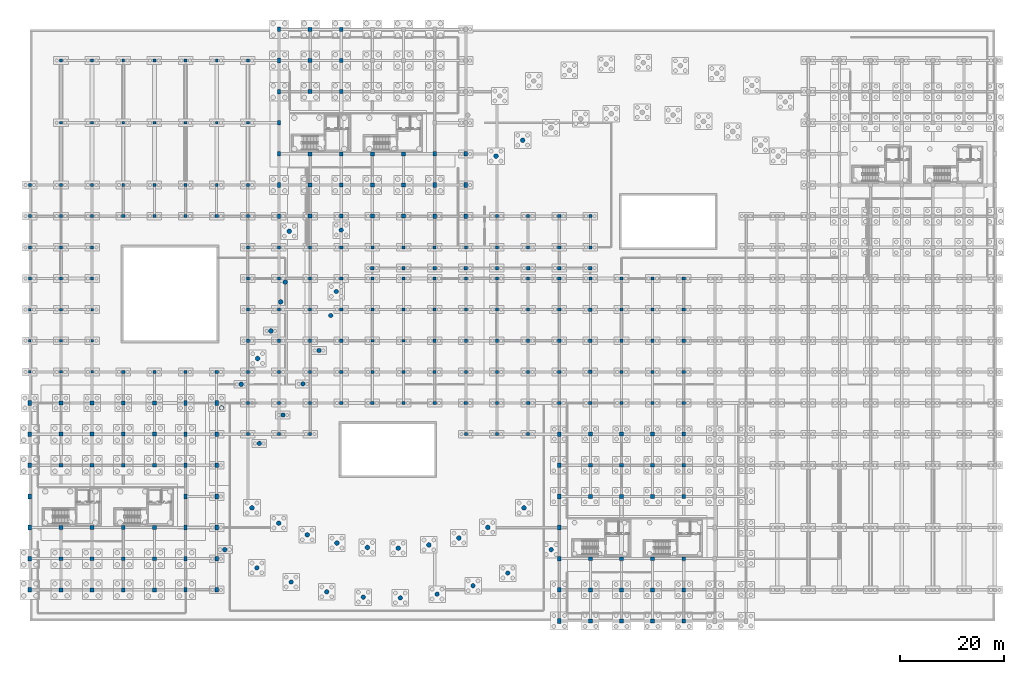
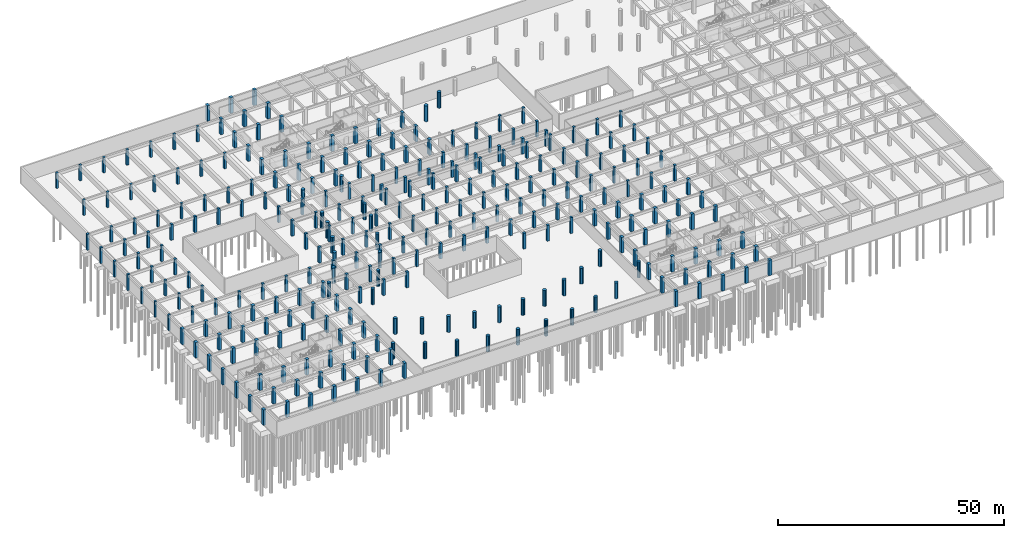
# One storey, part 14 of 41: 297 columns.
"""IFC4 building model written with IfcOpenShell, lengths in metres."""

from ifc_helpers import new_model, si_unit, direction, frame, origin, origin_2d, place, context, subcontext, project, spatial, rectangle, circle, extrude, material, material_profile, profile_set, type_object, element, save


model = new_model("IFC4")

# Units and contexts
model_context = context("Model", 3, precision=1e-05, world=origin(), true_north=direction((0.0, 1.0)))
body_context = subcontext(model_context, "Body", "Model", "MODEL_VIEW")
ifc_project = project(units=[si_unit("LENGTHUNIT", "METRE"), si_unit("AREAUNIT", "SQUARE_METRE"), si_unit("VOLUMEUNIT", "CUBIC_METRE"), si_unit("PLANEANGLEUNIT", "RADIAN"), si_unit("MASSUNIT", "GRAM", prefix="KILO"), si_unit("POWERUNIT", "WATT"), si_unit("THERMODYNAMICTEMPERATUREUNIT", "KELVIN")], contexts=[model_context])

# Site, building, storey
site_placement = place(None, origin())
site = spatial("IfcSite", under=ifc_project, at=site_placement, CompositionType="ELEMENT")
building_placement = place(site_placement, origin())
building = spatial("IfcBuilding", under=site, at=building_placement, Name="Ruvembo Vaulted Housing Court", CompositionType="ELEMENT")
storey_placement = place(building_placement, frame((0.0, 0.0, -4.5)))
storey = spatial("IfcBuildingStorey", under=building, at=storey_placement, Name="B1", CompositionType="ELEMENT", Elevation=-4.5)

# Columns
ifc_material_1 = material(Name="Concrete C35/45", Category="concrete")
ifc_material_profile_1 = material_profile(ifc_material_1, rectangle(XDim=0.5, YDim=0.5, at=origin_2d()), Name="RC 500x500")
ifc_profile_set_1 = profile_set([ifc_material_profile_1], Name="Concrete C35/45")
column_type_1 = type_object("IfcColumnType", Name="COL-RC-500", PredefinedType="COLUMN", material=ifc_profile_set_1)
for number, where, z_axis, x_axis, name in (
    (1, (0.0, 48.0, 0.0), (0.0, 0.0, 1.0), (1.0, 0.0, 0.0), "B1 Column (0,48)"),
    (2, (0.0, 54.0, 0.0), (0.0, 0.0, 1.0), (1.0, 0.0, 0.0), "B1 Column (0,54)"),
    (3, (0.0, 60.0, 0.0), (0.0, 0.0, 1.0), (1.0, 0.0, 0.0), "B1 Column (0,60)"),
    (4, (6.0, 48.0, 0.0), (0.0, 0.0, 1.0), (1.0, 0.0, 0.0), "B1 Column (6,48)"),
    (5, (6.0, 54.0, 0.0), (0.0, 0.0, 1.0), (1.0, 0.0, 0.0), "B1 Column (6,54)"),
    (6, (6.0, 60.0, 0.0), (0.0, 0.0, 1.0), (1.0, 0.0, 0.0), "B1 Column (6,60)"),
    (7, (12.0, 48.0, 0.0), (0.0, 0.0, 1.0), (1.0, 0.0, 0.0), "B1 Column (12,48)"),
    (8, (12.0, 54.0, 0.0), (0.0, 0.0, 1.0), (1.0, 0.0, 0.0), "B1 Column (12,54)"),
    (9, (12.0, 60.0, 0.0), (0.0, 0.0, 1.0), (1.0, 0.0, 0.0), "B1 Column (12,60)"),
):
    element("IfcColumn", number, at=place(storey_placement, frame(where, z_axis=z_axis, x_axis=x_axis)), inside=storey, type_object=column_type_1, Name=name, PredefinedType="COLUMN", context=body_context, shape_type="SweptSolid", body=[
        extrude(rectangle(XDim=0.5, YDim=0.5, at=origin_2d()), origin(), (0.0, 0.0, 1.0), 4.302001953125),
    ])
ifc_material_profile_2 = material_profile(ifc_material_1, rectangle(XDim=0.550048828125, YDim=0.550048828125, at=origin_2d()), Name="RC 550x550")
ifc_profile_set_2 = profile_set([ifc_material_profile_2], Name="Concrete C35/45")
column_type_2 = type_object("IfcColumnType", Name="COL-RC-550", PredefinedType="COLUMN", material=ifc_profile_set_2)
for number, where, z_axis, x_axis, name in (
    (10, (6.0, 84.0, 0.0), (0.0, 0.0, 1.0), (1.0, 0.0, 0.0), "B1 Column (6,84)"),
    (11, (6.0, 96.0, 0.0), (0.0, 0.0, 1.0), (1.0, 0.0, 0.0), "B1 Column (6,96)"),
    (12, (6.0, 108.0, 0.0), (0.0, 0.0, 1.0), (1.0, 0.0, 0.0), "B1 Column (6,108)"),
    (13, (12.0, 84.0, 0.0), (0.0, 0.0, 1.0), (1.0, 0.0, 0.0), "B1 Column (12,84)"),
    (14, (12.0, 96.0, 0.0), (0.0, 0.0, 1.0), (1.0, 0.0, 0.0), "B1 Column (12,96)"),
    (15, (12.0, 108.0, 0.0), (0.0, 0.0, 1.0), (1.0, 0.0, 0.0), "B1 Column (12,108)"),
    (16, (18.0, 84.0, 0.0), (0.0, 0.0, 1.0), (1.0, 0.0, 0.0), "B1 Column (18,84)"),
    (17, (18.0, 96.0, 0.0), (0.0, 0.0, 1.0), (1.0, 0.0, 0.0), "B1 Column (18,96)"),
    (18, (18.0, 108.0, 0.0), (0.0, 0.0, 1.0), (1.0, 0.0, 0.0), "B1 Column (18,108)"),
    (19, (24.0, 84.0, 0.0), (0.0, 0.0, 1.0), (1.0, 0.0, 0.0), "B1 Column (24,84)"),
    (20, (24.0, 96.0, 0.0), (0.0, 0.0, 1.0), (1.0, 0.0, 0.0), "B1 Column (24,96)"),
    (21, (24.0, 108.0, 0.0), (0.0, 0.0, 1.0), (1.0, 0.0, 0.0), "B1 Column (24,108)"),
    (22, (30.0, 84.0, 0.0), (0.0, 0.0, 1.0), (1.0, 0.0, 0.0), "B1 Column (30,84)"),
    (23, (30.0, 96.0, 0.0), (0.0, 0.0, 1.0), (1.0, 0.0, 0.0), "B1 Column (30,96)"),
    (24, (30.0, 108.0, 0.0), (0.0, 0.0, 1.0), (1.0, 0.0, 0.0), "B1 Column (30,108)"),
    (25, (36.0, 84.0, 0.0), (0.0, 0.0, 1.0), (1.0, 0.0, 0.0), "B1 Column (36,84)"),
    (26, (36.0, 96.0, 0.0), (0.0, 0.0, 1.0), (1.0, 0.0, 0.0), "B1 Column (36,96)"),
    (27, (36.0, 108.0, 0.0), (0.0, 0.0, 1.0), (1.0, 0.0, 0.0), "B1 Column (36,108)"),
    (28, (42.0, 84.0, 0.0), (0.0, 0.0, 1.0), (1.0, 0.0, 0.0), "B1 Column (42,84)"),
    (29, (42.0, 96.0, 0.0), (0.0, 0.0, 1.0), (1.0, 0.0, 0.0), "B1 Column (42,96)"),
    (30, (42.0, 108.0, 0.0), (0.0, 0.0, 1.0), (1.0, 0.0, 0.0), "B1 Column (42,108)"),
    (31, (66.0, 48.0, 0.0), (0.0, 0.0, 1.0), (1.0, 0.0, 0.0), "B1 Column (66,48)"),
    (32, (66.0, 54.0, 0.0), (0.0, 0.0, 1.0), (1.0, 0.0, 0.0), "B1 Column (66,54)"),
    (33, (66.0, 60.0, 0.0), (0.0, 0.0, 1.0), (1.0, 0.0, 0.0), "B1 Column (66,60)"),
    (34, (72.0, 48.0, 0.0), (0.0, 0.0, 1.0), (1.0, 0.0, 0.0), "B1 Column (72,48)"),
    (35, (72.0, 54.0, 0.0), (0.0, 0.0, 1.0), (1.0, 0.0, 0.0), "B1 Column (72,54)"),
    (36, (72.0, 60.0, 0.0), (0.0, 0.0, 1.0), (1.0, 0.0, 0.0), "B1 Column (72,60)"),
):
    element("IfcColumn", number, at=place(storey_placement, frame(where, z_axis=z_axis, x_axis=x_axis)), inside=storey, type_object=column_type_2, Name=name, PredefinedType="COLUMN", context=body_context, shape_type="SweptSolid", body=[
        extrude(rectangle(XDim=0.550048828125, YDim=0.550048828125, at=origin_2d()), origin(), (0.0, 0.0, 1.0), 4.215087890625),
    ])
ifc_material_2 = material(Name="Concrete C40/50", Category="concrete")
ifc_material_profile_3 = material_profile(ifc_material_2, rectangle(XDim=0.60009765625, YDim=0.60009765625, at=origin_2d()), Name="RC 600x600")
ifc_profile_set_3 = profile_set([ifc_material_profile_3], Name="Concrete C40/50")
column_type_3 = type_object("IfcColumnType", Name="COL-RC-600", PredefinedType="COLUMN", material=ifc_profile_set_3)
for number, where, z_axis, x_axis, name in (
    (37, (0.0, 66.0, 0.0), (0.0, 0.0, 1.0), (1.0, 0.0, 0.0), "B1 Column (0,66)"),
    (38, (0.0, 72.0, 0.0), (0.0, 0.0, 1.0), (1.0, 0.0, 0.0), "B1 Column (0,72)"),
    (39, (0.0, 78.0, 0.0), (0.0, 0.0, 1.0), (1.0, 0.0, 0.0), "B1 Column (0,78)"),
    (40, (0.0, 84.0, 0.0), (0.0, 0.0, 1.0), (1.0, 0.0, 0.0), "B1 Column (0,84)"),
    (41, (6.0, 66.0, 0.0), (0.0, 0.0, 1.0), (1.0, 0.0, 0.0), "B1 Column (6,66)"),
    (42, (6.0, 72.0, 0.0), (0.0, 0.0, 1.0), (1.0, 0.0, 0.0), "B1 Column (6,72)"),
    (43, (6.0, 78.0, 0.0), (0.0, 0.0, 1.0), (1.0, 0.0, 0.0), "B1 Column (6,78)"),
    (44, (12.0, 66.0, 0.0), (0.0, 0.0, 1.0), (1.0, 0.0, 0.0), "B1 Column (12,66)"),
    (45, (12.0, 72.0, 0.0), (0.0, 0.0, 1.0), (1.0, 0.0, 0.0), "B1 Column (12,72)"),
    (46, (12.0, 78.0, 0.0), (0.0, 0.0, 1.0), (1.0, 0.0, 0.0), "B1 Column (12,78)"),
    (47, (18.0, 48.0, 0.0), (0.0, 0.0, 1.0), (1.0, 0.0, 0.0), "B1 Column (18,48)"),
    (48, (18.0, 78.0, 0.0), (0.0, 0.0, 1.0), (1.0, 0.0, 0.0), "B1 Column (18,78)"),
    (49, (24.0, 48.0, 0.0), (0.0, 0.0, 1.0), (1.0, 0.0, 0.0), "B1 Column (24,48)"),
    (50, (24.0, 78.0, 0.0), (0.0, 0.0, 1.0), (1.0, 0.0, 0.0), "B1 Column (24,78)"),
    (51, (30.0, 48.0, 0.0), (0.0, 0.0, 1.0), (1.0, 0.0, 0.0), "B1 Column (30,48)"),
    (52, (30.0, 78.0, 0.0), (0.0, 0.0, 1.0), (1.0, 0.0, 0.0), "B1 Column (30,78)"),
    (53, (36.0, 48.0, 0.0), (0.0, 0.0, 1.0), (1.0, 0.0, 0.0), "B1 Column (36,48)"),
    (54, (36.0, 78.0, 0.0), (0.0, 0.0, 1.0), (1.0, 0.0, 0.0), "B1 Column (36,78)"),
    (55, (42.0, 36.0, 0.0), (0.0, 0.0, 1.0), (1.0, 0.0, 0.0), "B1 Column (42,36)"),
    (56, (42.0, 42.0, 0.0), (0.0, 0.0, 1.0), (1.0, 0.0, 0.0), "B1 Column (42,42)"),
    (57, (42.0, 48.0, 0.0), (0.0, 0.0, 1.0), (1.0, 0.0, 0.0), "B1 Column (42,48)"),
    (58, (42.0, 54.0, 0.0), (0.0, 0.0, 1.0), (1.0, 0.0, 0.0), "B1 Column (42,54)"),
    (59, (42.0, 60.0, 0.0), (0.0, 0.0, 1.0), (1.0, 0.0, 0.0), "B1 Column (42,60)"),
    (60, (42.0, 66.0, 0.0), (0.0, 0.0, 1.0), (1.0, 0.0, 0.0), "B1 Column (42,66)"),
    (61, (42.0, 72.0, 0.0), (0.0, 0.0, 1.0), (1.0, 0.0, 0.0), "B1 Column (42,72)"),
    (62, (42.0, 78.0, 0.0), (0.0, 0.0, 1.0), (1.0, 0.0, 0.0), "B1 Column (42,78)"),
    (63, (48.0, 36.0, 0.0), (0.0, 0.0, 1.0), (1.0, 0.0, 0.0), "B1 Column (48,36)"),
    (64, (48.0, 42.0, 0.0), (0.0, 0.0, 1.0), (1.0, 0.0, 0.0), "B1 Column (48,42)"),
    (65, (48.0, 48.0, 0.0), (0.0, 0.0, 1.0), (1.0, 0.0, 0.0), "B1 Column (48,48)"),
    (66, (48.0, 54.0, 0.0), (0.0, 0.0, 1.0), (1.0, 0.0, 0.0), "B1 Column (48,54)"),
    (67, (48.0, 60.0, 0.0), (0.0, 0.0, 1.0), (1.0, 0.0, 0.0), "B1 Column (48,60)"),
    (68, (48.0, 66.0, 0.0), (0.0, 0.0, 1.0), (1.0, 0.0, 0.0), "B1 Column (48,66)"),
    (69, (48.0, 72.0, 0.0), (0.0, 0.0, 1.0), (1.0, 0.0, 0.0), "B1 Column (48,72)"),
    (70, (54.0, 36.0, 0.0), (0.0, 0.0, 1.0), (1.0, 0.0, 0.0), "B1 Column (54,36)"),
    (71, (54.0, 42.0, 0.0), (0.0, 0.0, 1.0), (1.0, 0.0, 0.0), "B1 Column (54,42)"),
    (72, (54.0, 48.0, 0.0), (0.0, 0.0, 1.0), (1.0, 0.0, 0.0), "B1 Column (54,48)"),
    (73, (54.0, 54.0, 0.0), (0.0, 0.0, 1.0), (1.0, 0.0, 0.0), "B1 Column (54,54)"),
    (74, (54.0, 60.0, 0.0), (0.0, 0.0, 1.0), (1.0, 0.0, 0.0), "B1 Column (54,60)"),
    (75, (54.0, 66.0, 0.0), (0.0, 0.0, 1.0), (1.0, 0.0, 0.0), "B1 Column (54,66)"),
    (76, (54.0, 72.0, 0.0), (0.0, 0.0, 1.0), (1.0, 0.0, 0.0), "B1 Column (54,72)"),
    (77, (60.0, 42.0, 0.0), (0.0, 0.0, 1.0), (1.0, 0.0, 0.0), "B1 Column (60,42)"),
    (78, (60.0, 48.0, 0.0), (0.0, 0.0, 1.0), (1.0, 0.0, 0.0), "B1 Column (60,48)"),
    (79, (60.0, 54.0, 0.0), (0.0, 0.0, 1.0), (1.0, 0.0, 0.0), "B1 Column (60,54)"),
    (80, (60.0, 60.0, 0.0), (0.0, 0.0, 1.0), (1.0, 0.0, 0.0), "B1 Column (60,60)"),
    (81, (60.0, 66.0, 0.0), (0.0, 0.0, 1.0), (1.0, 0.0, 0.0), "B1 Column (60,66)"),
    (82, (60.0, 72.0, 0.0), (0.0, 0.0, 1.0), (1.0, 0.0, 0.0), "B1 Column (60,72)"),
    (83, (66.0, 66.0, 0.0), (0.0, 0.0, 1.0), (1.0, 0.0, 0.0), "B1 Column (66,66)"),
    (84, (66.0, 72.0, 0.0), (0.0, 0.0, 1.0), (1.0, 0.0, 0.0), "B1 Column (66,72)"),
    (85, (72.0, 66.0, 0.0), (0.0, 0.0, 1.0), (1.0, 0.0, 0.0), "B1 Column (72,66)"),
    (86, (72.0, 72.0, 0.0), (0.0, 0.0, 1.0), (1.0, 0.0, 0.0), "B1 Column (72,72)"),
    (87, (78.0, 48.0, 0.0), (0.0, 0.0, 1.0), (1.0, 0.0, 0.0), "B1 Column (78,48)"),
    (88, (78.0, 54.0, 0.0), (0.0, 0.0, 1.0), (1.0, 0.0, 0.0), "B1 Column (78,54)"),
    (89, (78.0, 60.0, 0.0), (0.0, 0.0, 1.0), (1.0, 0.0, 0.0), "B1 Column (78,60)"),
    (90, (78.0, 66.0, 0.0), (0.0, 0.0, 1.0), (1.0, 0.0, 0.0), "B1 Column (78,66)"),
    (91, (78.0, 72.0, 0.0), (0.0, 0.0, 1.0), (1.0, 0.0, 0.0), "B1 Column (78,72)"),
    (92, (84.0, 36.0, 0.0), (0.0, 0.0, 1.0), (1.0, 0.0, 0.0), "B1 Column (84,36)"),
    (93, (84.0, 48.0, 0.0), (0.0, 0.0, 1.0), (1.0, 0.0, 0.0), "B1 Column (84,48)"),
    (94, (84.0, 54.0, 0.0), (0.0, 0.0, 1.0), (1.0, 0.0, 0.0), "B1 Column (84,54)"),
    (95, (84.0, 60.0, 0.0), (0.0, 0.0, 1.0), (1.0, 0.0, 0.0), "B1 Column (84,60)"),
    (96, (84.0, 66.0, 0.0), (0.0, 0.0, 1.0), (1.0, 0.0, 0.0), "B1 Column (84,66)"),
    (97, (84.0, 72.0, 0.0), (0.0, 0.0, 1.0), (1.0, 0.0, 0.0), "B1 Column (84,72)"),
    (98, (90.0, 36.0, 0.0), (0.0, 0.0, 1.0), (1.0, 0.0, 0.0), "B1 Column (90,36)"),
    (99, (90.0, 48.0, 0.0), (0.0, 0.0, 1.0), (1.0, 0.0, 0.0), "B1 Column (90,48)"),
    (100, (90.0, 54.0, 0.0), (0.0, 0.0, 1.0), (1.0, 0.0, 0.0), "B1 Column (90,54)"),
    (101, (90.0, 60.0, 0.0), (0.0, 0.0, 1.0), (1.0, 0.0, 0.0), "B1 Column (90,60)"),
    (102, (90.0, 66.0, 0.0), (0.0, 0.0, 1.0), (1.0, 0.0, 0.0), "B1 Column (90,66)"),
    (103, (90.0, 72.0, 0.0), (0.0, 0.0, 1.0), (1.0, 0.0, 0.0), "B1 Column (90,72)"),
    (104, (90.0, 78.0, 0.0), (0.0, 0.0, 1.0), (1.0, 0.0, 0.0), "B1 Column (90,78)"),
    (105, (96.0, 36.0, 0.0), (0.0, 0.0, 1.0), (1.0, 0.0, 0.0), "B1 Column (96,36)"),
    (106, (96.0, 48.0, 0.0), (0.0, 0.0, 1.0), (1.0, 0.0, 0.0), "B1 Column (96,48)"),
    (107, (96.0, 54.0, 0.0), (0.0, 0.0, 1.0), (1.0, 0.0, 0.0), "B1 Column (96,54)"),
    (108, (96.0, 60.0, 0.0), (0.0, 0.0, 1.0), (1.0, 0.0, 0.0), "B1 Column (96,60)"),
    (109, (96.0, 66.0, 0.0), (0.0, 0.0, 1.0), (1.0, 0.0, 0.0), "B1 Column (96,66)"),
    (110, (96.0, 72.0, 0.0), (0.0, 0.0, 1.0), (1.0, 0.0, 0.0), "B1 Column (96,72)"),
    (111, (96.0, 78.0, 0.0), (0.0, 0.0, 1.0), (1.0, 0.0, 0.0), "B1 Column (96,78)"),
    (112, (102.0, 48.0, 0.0), (0.0, 0.0, 1.0), (1.0, 0.0, 0.0), "B1 Column (102,48)"),
    (113, (102.0, 54.0, 0.0), (0.0, 0.0, 1.0), (1.0, 0.0, 0.0), "B1 Column (102,54)"),
    (114, (102.0, 60.0, 0.0), (0.0, 0.0, 1.0), (1.0, 0.0, 0.0), "B1 Column (102,60)"),
    (115, (102.0, 66.0, 0.0), (0.0, 0.0, 1.0), (1.0, 0.0, 0.0), "B1 Column (102,66)"),
    (116, (102.0, 72.0, 0.0), (0.0, 0.0, 1.0), (1.0, 0.0, 0.0), "B1 Column (102,72)"),
    (117, (102.0, 78.0, 0.0), (0.0, 0.0, 1.0), (1.0, 0.0, 0.0), "B1 Column (102,78)"),
    (118, (108.0, 66.0, 0.0), (0.0, 0.0, 1.0), (1.0, 0.0, 0.0), "B1 Column (108,66)"),
    (119, (108.0, 72.0, 0.0), (0.0, 0.0, 1.0), (1.0, 0.0, 0.0), "B1 Column (108,72)"),
    (120, (108.0, 78.0, 0.0), (0.0, 0.0, 1.0), (1.0, 0.0, 0.0), "B1 Column (108,78)"),
    (121, (114.0, 42.0, 0.0), (0.0, 0.0, 1.0), (1.0, 0.0, 0.0), "B1 Column (114,42)"),
    (122, (114.0, 48.0, 0.0), (0.0, 0.0, 1.0), (1.0, 0.0, 0.0), "B1 Column (114,48)"),
    (123, (114.0, 54.0, 0.0), (0.0, 0.0, 1.0), (1.0, 0.0, 0.0), "B1 Column (114,54)"),
    (124, (114.0, 60.0, 0.0), (0.0, 0.0, 1.0), (1.0, 0.0, 0.0), "B1 Column (114,60)"),
    (125, (114.0, 66.0, 0.0), (0.0, 0.0, 1.0), (1.0, 0.0, 0.0), "B1 Column (114,66)"),
    (126, (120.0, 42.0, 0.0), (0.0, 0.0, 1.0), (1.0, 0.0, 0.0), "B1 Column (120,42)"),
    (127, (120.0, 48.0, 0.0), (0.0, 0.0, 1.0), (1.0, 0.0, 0.0), "B1 Column (120,48)"),
    (128, (120.0, 54.0, 0.0), (0.0, 0.0, 1.0), (1.0, 0.0, 0.0), "B1 Column (120,54)"),
    (129, (120.0, 60.0, 0.0), (0.0, 0.0, 1.0), (1.0, 0.0, 0.0), "B1 Column (120,60)"),
    (130, (120.0, 66.0, 0.0), (0.0, 0.0, 1.0), (1.0, 0.0, 0.0), "B1 Column (120,66)"),
    (131, (126.0, 42.0, 0.0), (0.0, 0.0, 1.0), (1.0, 0.0, 0.0), "B1 Column (126,42)"),
    (132, (126.0, 48.0, 0.0), (0.0, 0.0, 1.0), (1.0, 0.0, 0.0), "B1 Column (126,48)"),
    (133, (126.0, 54.0, 0.0), (0.0, 0.0, 1.0), (1.0, 0.0, 0.0), "B1 Column (126,54)"),
    (134, (126.0, 60.0, 0.0), (0.0, 0.0, 1.0), (1.0, 0.0, 0.0), "B1 Column (126,60)"),
    (135, (126.0, 66.0, 0.0), (0.0, 0.0, 1.0), (1.0, 0.0, 0.0), "B1 Column (126,66)"),
):
    element("IfcColumn", number, at=place(storey_placement, frame(where, z_axis=z_axis, x_axis=x_axis)), inside=storey, type_object=column_type_3, Name=name, PredefinedType="COLUMN", context=body_context, shape_type="SweptSolid", body=[
        extrude(rectangle(XDim=0.60009765625, YDim=0.60009765625, at=origin_2d()), origin(), (0.0, 0.0, 1.0), 4.302001953125),
    ])
ifc_material_profile_4 = material_profile(ifc_material_2, rectangle(XDim=0.64990234375, YDim=0.64990234375, at=origin_2d()), Name="RC 650x650")
ifc_profile_set_4 = profile_set([ifc_material_profile_4], Name="Concrete C40/50")
column_type_4 = type_object("IfcColumnType", Name="COL-RC-650", PredefinedType="COLUMN", material=ifc_profile_set_4)
for number, where, z_axis, x_axis, name in (
    (136, (66.0, 42.0, 0.0), (0.0, 0.0, 1.0), (1.0, 0.0, 0.0), "B1 Column (66,42)"),
    (137, (66.0, 68.0, 0.0), (0.0, 0.0, 1.0), (1.0, 0.0, 0.0), "B1 Column (66,68)"),
    (138, (72.0, 42.0, 0.0), (0.0, 0.0, 1.0), (1.0, 0.0, 0.0), "B1 Column (72,42)"),
    (139, (72.0, 68.0, 0.0), (0.0, 0.0, 1.0), (1.0, 0.0, 0.0), "B1 Column (72,68)"),
    (140, (78.0, 42.0, 0.0), (0.0, 0.0, 1.0), (1.0, 0.0, 0.0), "B1 Column (78,42)"),
    (141, (78.0, 68.0, 0.0), (0.0, 0.0, 1.0), (1.0, 0.0, 0.0), "B1 Column (78,68)"),
    (142, (84.0, 42.0, 0.0), (0.0, 0.0, 1.0), (1.0, 0.0, 0.0), "B1 Column (84,42)"),
    (143, (84.0, 68.0, 0.0), (0.0, 0.0, 1.0), (1.0, 0.0, 0.0), "B1 Column (84,68)"),
    (144, (90.0, 42.0, 0.0), (0.0, 0.0, 1.0), (1.0, 0.0, 0.0), "B1 Column (90,42)"),
    (145, (90.0, 68.0, 0.0), (0.0, 0.0, 1.0), (1.0, 0.0, 0.0), "B1 Column (90,68)"),
    (146, (96.0, 42.0, 0.0), (0.0, 0.0, 1.0), (1.0, 0.0, 0.0), "B1 Column (96,42)"),
    (147, (96.0, 68.0, 0.0), (0.0, 0.0, 1.0), (1.0, 0.0, 0.0), "B1 Column (96,68)"),
    (148, (102.0, 42.0, 0.0), (0.0, 0.0, 1.0), (1.0, 0.0, 0.0), "B1 Column (102,42)"),
    (149, (102.0, 68.0, 0.0), (0.0, 0.0, 1.0), (1.0, 0.0, 0.0), "B1 Column (102,68)"),
    (150, (108.0, 42.0, 0.0), (0.0, 0.0, 1.0), (1.0, 0.0, 0.0), "B1 Column (108,42)"),
    (151, (108.0, 48.0, 0.0), (0.0, 0.0, 1.0), (1.0, 0.0, 0.0), "B1 Column (108,48)"),
    (152, (108.0, 54.0, 0.0), (0.0, 0.0, 1.0), (1.0, 0.0, 0.0), "B1 Column (108,54)"),
    (153, (108.0, 60.0, 0.0), (0.0, 0.0, 1.0), (1.0, 0.0, 0.0), "B1 Column (108,60)"),
    (154, (108.0, 68.0, 0.0), (0.0, 0.0, 1.0), (1.0, 0.0, 0.0), "B1 Column (108,68)"),
):
    element("IfcColumn", number, at=place(storey_placement, frame(where, z_axis=z_axis, x_axis=x_axis)), inside=storey, type_object=column_type_4, Name=name, PredefinedType="COLUMN", context=body_context, shape_type="SweptSolid", body=[
        extrude(rectangle(XDim=0.64990234375, YDim=0.64990234375, at=origin_2d()), origin(), (0.0, 0.0, 1.0), 4.215087890625),
    ])
ifc_material_profile_5 = material_profile(ifc_material_2, rectangle(XDim=0.64990234375, YDim=0.89990234375, at=origin_2d()), Name="RC 650x900")
ifc_profile_set_5 = profile_set([ifc_material_profile_5], Name="Concrete C40/50")
column_type_5 = type_object("IfcColumnType", Name="COL-RC-650x900", PredefinedType="COLUMN", material=ifc_profile_set_5)
for number, where, z_axis, x_axis, name in (
    (155, (0.0, 6.0, 0.0), (0.0, 0.0, 1.0), (1.0, 0.0, 0.0), "B1 Column (0,6)"),
    (156, (0.0, 12.0, 0.0), (0.0, 0.0, 1.0), (1.0, 0.0, 0.0), "B1 Column (0,12)"),
    (157, (0.0, 18.0, 0.0), (0.0, 0.0, 1.0), (1.0, 0.0, 0.0), "B1 Column (0,18)"),
    (158, (0.0, 24.0, 0.0), (0.0, 0.0, 1.0), (1.0, 0.0, 0.0), "B1 Column (0,24)"),
    (159, (0.0, 30.0, 0.0), (0.0, 0.0, 1.0), (1.0, 0.0, 0.0), "B1 Column (0,30)"),
    (160, (0.0, 36.0, 0.0), (0.0, 0.0, 1.0), (1.0, 0.0, 0.0), "B1 Column (0,36)"),
    (161, (0.0, 42.0, 0.0), (0.0, 0.0, 1.0), (1.0, 0.0, 0.0), "B1 Column (0,42)"),
    (162, (30.0, 6.0, 0.0), (0.0, 0.0, 1.0), (1.0, 0.0, 0.0), "B1 Column (30,6)"),
    (163, (30.0, 12.0, 0.0), (0.0, 0.0, 1.0), (1.0, 0.0, 0.0), "B1 Column (30,12)"),
    (164, (30.0, 18.0, 0.0), (0.0, 0.0, 1.0), (1.0, 0.0, 0.0), "B1 Column (30,18)"),
    (165, (30.0, 24.0, 0.0), (0.0, 0.0, 1.0), (1.0, 0.0, 0.0), "B1 Column (30,24)"),
    (166, (30.0, 30.0, 0.0), (0.0, 0.0, 1.0), (1.0, 0.0, 0.0), "B1 Column (30,30)"),
    (167, (30.0, 36.0, 0.0), (0.0, 0.0, 1.0), (1.0, 0.0, 0.0), "B1 Column (30,36)"),
    (168, (30.0, 42.0, 0.0), (0.0, 0.0, 1.0), (1.0, 0.0, 0.0), "B1 Column (30,42)"),
    (169, (36.0, 6.0, 0.0), (0.0, 0.0, 1.0), (1.0, 0.0, 0.0), "B1 Column (36,6)"),
    (170, (36.0, 12.0, 0.0), (0.0, 0.0, 1.0), (1.0, 0.0, 0.0), "B1 Column (36,12)"),
    (171, (36.0, 18.0, 0.0), (0.0, 0.0, 1.0), (1.0, 0.0, 0.0), "B1 Column (36,18)"),
    (172, (36.0, 24.0, 0.0), (0.0, 0.0, 1.0), (1.0, 0.0, 0.0), "B1 Column (36,24)"),
    (173, (36.0, 30.0, 0.0), (0.0, 0.0, 1.0), (1.0, 0.0, 0.0), "B1 Column (36,30)"),
    (174, (36.0, 36.0, 0.0), (0.0, 0.0, 1.0), (1.0, 0.0, 0.0), "B1 Column (36,36)"),
    (175, (36.0, 42.0, 0.0), (0.0, 0.0, 1.0), (1.0, 0.0, 0.0), "B1 Column (36,42)"),
    (176, (48.0, 78.0, 0.0), (0.0, 0.0, 1.0), (1.0, 0.0, 0.0), "B1 Column (48,78)"),
    (177, (48.0, 84.0, 0.0), (0.0, 0.0, 1.0), (1.0, 0.0, 0.0), "B1 Column (48,84)"),
    (178, (48.0, 90.0, 0.0), (0.0, 0.0, 1.0), (1.0, 0.0, 0.0), "B1 Column (48,90)"),
    (179, (48.0, 96.0, 0.0), (0.0, 0.0, 1.0), (1.0, 0.0, 0.0), "B1 Column (48,96)"),
    (180, (48.0, 102.0, 0.0), (0.0, 0.0, 1.0), (1.0, 0.0, 0.0), "B1 Column (48,102)"),
    (181, (48.0, 108.0, 0.0), (0.0, 0.0, 1.0), (1.0, 0.0, 0.0), "B1 Column (48,108)"),
    (182, (48.0, 114.0, 0.0), (0.0, 0.0, 1.0), (1.0, 0.0, 0.0), "B1 Column (48,114)"),
    (183, (78.0, 78.0, 0.0), (0.0, 0.0, 1.0), (1.0, 0.0, 0.0), "B1 Column (78,78)"),
    (184, (78.0, 84.0, 0.0), (0.0, 0.0, 1.0), (1.0, 0.0, 0.0), "B1 Column (78,84)"),
    (185, (78.0, 90.0, 0.0), (0.0, 0.0, 1.0), (1.0, 0.0, 0.0), "B1 Column (78,90)"),
    (186, (84.0, 78.0, 0.0), (0.0, 0.0, 1.0), (1.0, 0.0, 0.0), "B1 Column (84,78)"),
    (187, (84.0, 84.0, 0.0), (0.0, 0.0, 1.0), (1.0, 0.0, 0.0), "B1 Column (84,84)"),
    (188, (84.0, 90.0, 0.0), (0.0, 0.0, 1.0), (1.0, 0.0, 0.0), "B1 Column (84,90)"),
    (189, (102.0, 0.0, 0.0), (0.0, 0.0, 1.0), (1.0, 0.0, 0.0), "B1 Column (102,0)"),
    (190, (102.0, 6.0, 0.0), (0.0, 0.0, 1.0), (1.0, 0.0, 0.0), "B1 Column (102,6)"),
    (191, (102.0, 12.0, 0.0), (0.0, 0.0, 1.0), (1.0, 0.0, 0.0), "B1 Column (102,12)"),
    (192, (102.0, 18.0, 0.0), (0.0, 0.0, 1.0), (1.0, 0.0, 0.0), "B1 Column (102,18)"),
    (193, (102.0, 24.0, 0.0), (0.0, 0.0, 1.0), (1.0, 0.0, 0.0), "B1 Column (102,24)"),
    (194, (102.0, 30.0, 0.0), (0.0, 0.0, 1.0), (1.0, 0.0, 0.0), "B1 Column (102,30)"),
    (195, (102.0, 36.0, 0.0), (0.0, 0.0, 1.0), (1.0, 0.0, 0.0), "B1 Column (102,36)"),
):
    element("IfcColumn", number, at=place(storey_placement, frame(where, z_axis=z_axis, x_axis=x_axis)), inside=storey, type_object=column_type_5, Name=name, PredefinedType="COLUMN", context=body_context, shape_type="SweptSolid", body=[
        extrude(rectangle(XDim=0.64990234375, YDim=0.89990234375, at=origin_2d()), origin(), (0.0, 0.0, 1.0), 4.215087890625),
    ])
ifc_material_profile_6 = material_profile(ifc_material_2, rectangle(XDim=0.75, YDim=0.75, at=origin_2d()), Name="RC 750x750")
ifc_profile_set_6 = profile_set([ifc_material_profile_6], Name="Concrete C40/50")
column_type_6 = type_object("IfcColumnType", Name="COL-RC-750", PredefinedType="COLUMN", material=ifc_profile_set_6)
for number, where, z_axis, x_axis, name in (
    (196, (6.0, 6.0, 0.0), (0.0, 0.0, 1.0), (1.0, 0.0, 0.0), "B1 Column (6,6)"),
    (197, (6.0, 12.0, 0.0), (0.0, 0.0, 1.0), (1.0, 0.0, 0.0), "B1 Column (6,12)"),
    (198, (6.0, 18.0, 0.0), (0.0, 0.0, 1.0), (1.0, 0.0, 0.0), "B1 Column (6,18)"),
    (199, (6.0, 30.0, 0.0), (0.0, 0.0, 1.0), (1.0, 0.0, 0.0), "B1 Column (6,30)"),
    (200, (6.0, 36.0, 0.0), (0.0, 0.0, 1.0), (1.0, 0.0, 0.0), "B1 Column (6,36)"),
    (201, (6.0, 42.0, 0.0), (0.0, 0.0, 1.0), (1.0, 0.0, 0.0), "B1 Column (6,42)"),
    (202, (12.0, 6.0, 0.0), (0.0, 0.0, 1.0), (1.0, 0.0, 0.0), "B1 Column (12,6)"),
    (203, (12.0, 12.0, 0.0), (0.0, 0.0, 1.0), (1.0, 0.0, 0.0), "B1 Column (12,12)"),
    (204, (12.0, 18.0, 0.0), (0.0, 0.0, 1.0), (1.0, 0.0, 0.0), "B1 Column (12,18)"),
    (205, (12.0, 30.0, 0.0), (0.0, 0.0, 1.0), (1.0, 0.0, 0.0), "B1 Column (12,30)"),
    (206, (12.0, 36.0, 0.0), (0.0, 0.0, 1.0), (1.0, 0.0, 0.0), "B1 Column (12,36)"),
    (207, (12.0, 42.0, 0.0), (0.0, 0.0, 1.0), (1.0, 0.0, 0.0), "B1 Column (12,42)"),
    (208, (18.0, 6.0, 0.0), (0.0, 0.0, 1.0), (1.0, 0.0, 0.0), "B1 Column (18,6)"),
    (209, (18.0, 12.0, 0.0), (0.0, 0.0, 1.0), (1.0, 0.0, 0.0), "B1 Column (18,12)"),
    (210, (18.0, 18.0, 0.0), (0.0, 0.0, 1.0), (1.0, 0.0, 0.0), "B1 Column (18,18)"),
    (211, (18.0, 30.0, 0.0), (0.0, 0.0, 1.0), (1.0, 0.0, 0.0), "B1 Column (18,30)"),
    (212, (18.0, 36.0, 0.0), (0.0, 0.0, 1.0), (1.0, 0.0, 0.0), "B1 Column (18,36)"),
    (213, (18.0, 42.0, 0.0), (0.0, 0.0, 1.0), (1.0, 0.0, 0.0), "B1 Column (18,42)"),
    (214, (24.0, 6.0, 0.0), (0.0, 0.0, 1.0), (1.0, 0.0, 0.0), "B1 Column (24,6)"),
    (215, (24.0, 12.0, 0.0), (0.0, 0.0, 1.0), (1.0, 0.0, 0.0), "B1 Column (24,12)"),
    (216, (24.0, 18.0, 0.0), (0.0, 0.0, 1.0), (1.0, 0.0, 0.0), "B1 Column (24,18)"),
    (217, (24.0, 30.0, 0.0), (0.0, 0.0, 1.0), (1.0, 0.0, 0.0), "B1 Column (24,30)"),
    (218, (24.0, 36.0, 0.0), (0.0, 0.0, 1.0), (1.0, 0.0, 0.0), "B1 Column (24,36)"),
    (219, (24.0, 42.0, 0.0), (0.0, 0.0, 1.0), (1.0, 0.0, 0.0), "B1 Column (24,42)"),
    (220, (54.0, 78.0, 0.0), (0.0, 0.0, 1.0), (1.0, 0.0, 0.0), "B1 Column (54,78)"),
    (221, (54.0, 84.0, 0.0), (0.0, 0.0, 1.0), (1.0, 0.0, 0.0), "B1 Column (54,84)"),
    (222, (54.0, 90.0, 0.0), (0.0, 0.0, 1.0), (1.0, 0.0, 0.0), "B1 Column (54,90)"),
    (223, (54.0, 102.0, 0.0), (0.0, 0.0, 1.0), (1.0, 0.0, 0.0), "B1 Column (54,102)"),
    (224, (54.0, 108.0, 0.0), (0.0, 0.0, 1.0), (1.0, 0.0, 0.0), "B1 Column (54,108)"),
    (225, (54.0, 114.0, 0.0), (0.0, 0.0, 1.0), (1.0, 0.0, 0.0), "B1 Column (54,114)"),
    (226, (60.0, 78.0, 0.0), (0.0, 0.0, 1.0), (1.0, 0.0, 0.0), "B1 Column (60,78)"),
    (227, (60.0, 84.0, 0.0), (0.0, 0.0, 1.0), (1.0, 0.0, 0.0), "B1 Column (60,84)"),
    (228, (60.0, 90.0, 0.0), (0.0, 0.0, 1.0), (1.0, 0.0, 0.0), "B1 Column (60,90)"),
    (229, (60.0, 102.0, 0.0), (0.0, 0.0, 1.0), (1.0, 0.0, 0.0), "B1 Column (60,102)"),
    (230, (60.0, 108.0, 0.0), (0.0, 0.0, 1.0), (1.0, 0.0, 0.0), "B1 Column (60,108)"),
    (231, (60.0, 114.0, 0.0), (0.0, 0.0, 1.0), (1.0, 0.0, 0.0), "B1 Column (60,114)"),
    (232, (66.0, 78.0, 0.0), (0.0, 0.0, 1.0), (1.0, 0.0, 0.0), "B1 Column (66,78)"),
    (233, (66.0, 84.0, 0.0), (0.0, 0.0, 1.0), (1.0, 0.0, 0.0), "B1 Column (66,84)"),
    (234, (66.0, 90.0, 0.0), (0.0, 0.0, 1.0), (1.0, 0.0, 0.0), "B1 Column (66,90)"),
    (235, (72.0, 78.0, 0.0), (0.0, 0.0, 1.0), (1.0, 0.0, 0.0), "B1 Column (72,78)"),
    (236, (72.0, 84.0, 0.0), (0.0, 0.0, 1.0), (1.0, 0.0, 0.0), "B1 Column (72,84)"),
    (237, (72.0, 90.0, 0.0), (0.0, 0.0, 1.0), (1.0, 0.0, 0.0), "B1 Column (72,90)"),
    (238, (108.0, 0.0, 0.0), (0.0, 0.0, 1.0), (1.0, 0.0, 0.0), "B1 Column (108,0)"),
    (239, (108.0, 6.0, 0.0), (0.0, 0.0, 1.0), (1.0, 0.0, 0.0), "B1 Column (108,6)"),
    (240, (108.0, 12.0, 0.0), (0.0, 0.0, 1.0), (1.0, 0.0, 0.0), "B1 Column (108,12)"),
    (241, (108.0, 24.0, 0.0), (0.0, 0.0, 1.0), (1.0, 0.0, 0.0), "B1 Column (108,24)"),
    (242, (108.0, 30.0, 0.0), (0.0, 0.0, 1.0), (1.0, 0.0, 0.0), "B1 Column (108,30)"),
    (243, (108.0, 36.0, 0.0), (0.0, 0.0, 1.0), (1.0, 0.0, 0.0), "B1 Column (108,36)"),
    (244, (114.0, 0.0, 0.0), (0.0, 0.0, 1.0), (1.0, 0.0, 0.0), "B1 Column (114,0)"),
    (245, (114.0, 6.0, 0.0), (0.0, 0.0, 1.0), (1.0, 0.0, 0.0), "B1 Column (114,6)"),
    (246, (114.0, 12.0, 0.0), (0.0, 0.0, 1.0), (1.0, 0.0, 0.0), "B1 Column (114,12)"),
    (247, (114.0, 24.0, 0.0), (0.0, 0.0, 1.0), (1.0, 0.0, 0.0), "B1 Column (114,24)"),
    (248, (114.0, 30.0, 0.0), (0.0, 0.0, 1.0), (1.0, 0.0, 0.0), "B1 Column (114,30)"),
    (249, (114.0, 36.0, 0.0), (0.0, 0.0, 1.0), (1.0, 0.0, 0.0), "B1 Column (114,36)"),
    (250, (120.0, 0.0, 0.0), (0.0, 0.0, 1.0), (1.0, 0.0, 0.0), "B1 Column (120,0)"),
    (251, (120.0, 6.0, 0.0), (0.0, 0.0, 1.0), (1.0, 0.0, 0.0), "B1 Column (120,6)"),
    (252, (120.0, 12.0, 0.0), (0.0, 0.0, 1.0), (1.0, 0.0, 0.0), "B1 Column (120,12)"),
    (253, (120.0, 24.0, 0.0), (0.0, 0.0, 1.0), (1.0, 0.0, 0.0), "B1 Column (120,24)"),
    (254, (120.0, 30.0, 0.0), (0.0, 0.0, 1.0), (1.0, 0.0, 0.0), "B1 Column (120,30)"),
    (255, (120.0, 36.0, 0.0), (0.0, 0.0, 1.0), (1.0, 0.0, 0.0), "B1 Column (120,36)"),
    (256, (126.0, 0.0, 0.0), (0.0, 0.0, 1.0), (1.0, 0.0, 0.0), "B1 Column (126,0)"),
    (257, (126.0, 6.0, 0.0), (0.0, 0.0, 1.0), (1.0, 0.0, 0.0), "B1 Column (126,6)"),
    (258, (126.0, 12.0, 0.0), (0.0, 0.0, 1.0), (1.0, 0.0, 0.0), "B1 Column (126,12)"),
    (259, (126.0, 24.0, 0.0), (0.0, 0.0, 1.0), (1.0, 0.0, 0.0), "B1 Column (126,24)"),
    (260, (126.0, 30.0, 0.0), (0.0, 0.0, 1.0), (1.0, 0.0, 0.0), "B1 Column (126,30)"),
    (261, (126.0, 36.0, 0.0), (0.0, 0.0, 1.0), (1.0, 0.0, 0.0), "B1 Column (126,36)"),
):
    element("IfcColumn", number, at=place(storey_placement, frame(where, z_axis=z_axis, x_axis=x_axis)), inside=storey, type_object=column_type_6, Name=name, PredefinedType="COLUMN", context=body_context, shape_type="SweptSolid", body=[
        extrude(rectangle(XDim=0.75, YDim=0.75, at=origin_2d()), origin(), (0.0, 0.0, 1.0), 4.215087890625),
    ])
ifc_material_profile_7 = material_profile(ifc_material_2, circle(Radius=0.425048828125, at=origin_2d()), Name="RC D850")
ifc_profile_set_7 = profile_set([ifc_material_profile_7], Name="Concrete C40/50")
column_type_7 = type_object("IfcColumnType", Name="PILOTIS-D850", PredefinedType="COLUMN", material=ifc_profile_set_7)
for number, where, z_axis, x_axis, name in (
    (262, (44.207763671875, 34.21923828125, 0.0), (0.0, 0.0, 1.0), (1.0, 0.0, 0.0), "B1 Scooped Pier CP-SC1-B01"),
    (263, (48.767333984375, 39.6953125, 0.0), (0.0, 0.0, 1.0), (1.0, 0.0, 0.0), "B1 Scooped Pier CP-SC1-B02"),
    (264, (52.620849609375, 45.688720703125, 0.0), (0.0, 0.0, 1.0), (1.0, 0.0, 0.0), "B1 Scooped Pier CP-SC1-B03"),
    (265, (55.71044921875, 52.109619140625, 0.0), (0.0, 0.0, 1.0), (1.0, 0.0, 0.0), "B1 Scooped Pier CP-SC1-B04"),
    (266, (57.989501953125, 58.861083984375, 0.0), (0.0, 0.0, 1.0), (1.0, 0.0, 0.0), "B1 Scooped Pier CP-SC1-B05"),
    (267, (59.040771484375, 63.495361328125, 0.0), (0.0, 0.0, 1.0), (1.0, 0.0, 0.0), "B1 Scooped Pier CP-SC1-B06"),
    (268, (59.985107421875, 75.3203125, 0.0), (0.0, 0.0, 1.0), (1.0, 0.0, 0.0), "B1 Scooped Pier CP-SC1-B07"),
    (269, (37.55224609375, 13.742431640625, 0.0), (0.0, 0.0, 1.0), (1.0, 0.0, 0.0), "B1 Scooped Pier CP-SC2-B01"),
    (270, (43.749755859375, 10.2294921875, 0.0), (0.0, 0.0, 1.0), (1.0, 0.0, 0.0), "B1 Scooped Pier CP-SC2-B02"),
    (271, (50.333740234375, 7.50830078125, 0.0), (0.0, 0.0, 1.0), (1.0, 0.0, 0.0), "B1 Scooped Pier CP-SC2-B03"),
    (272, (57.203125, 5.62109375, 0.0), (0.0, 0.0, 1.0), (1.0, 0.0, 0.0), "B1 Scooped Pier CP-SC2-B04"),
    (273, (64.2529296875, 4.595947265625, 0.0), (0.0, 0.0, 1.0), (1.0, 0.0, 0.0), "B1 Scooped Pier CP-SC2-B05"),
    (274, (71.37548828125, 4.448974609375, 0.0), (0.0, 0.0, 1.0), (1.0, 0.0, 0.0), "B1 Scooped Pier CP-SC2-B06"),
    (275, (78.461669921875, 5.182373046875, 0.0), (0.0, 0.0, 1.0), (1.0, 0.0, 0.0), "B1 Scooped Pier CP-SC2-B07"),
    (276, (85.403076171875, 6.784912109375, 0.0), (0.0, 0.0, 1.0), (1.0, 0.0, 0.0), "B1 Scooped Pier CP-SC2-B08"),
    (277, (92.093505859375, 9.232177734375, 0.0), (0.0, 0.0, 1.0), (1.0, 0.0, 0.0), "B1 Scooped Pier CP-SC2-B09"),
    (278, (100.44775390625, 13.742431640625, 0.0), (0.0, 0.0, 1.0), (1.0, 0.0, 0.0), "B1 Scooped Pier CP-SC2-B10"),
):
    element("IfcColumn", number, at=place(storey_placement, frame(where, z_axis=z_axis, x_axis=x_axis)), inside=storey, type_object=column_type_7, Name=name, PredefinedType="COLUMN", context=body_context, shape_type="SweptSolid", body=[
        extrude(circle(Radius=0.425048828125, at=origin_2d()), origin(), (0.0, 0.0, 1.0), 4.302001953125),
    ])
ifc_material_profile_8 = material_profile(ifc_material_2, circle(Radius=0.449951171875, at=origin_2d()), Name="RC D900")
ifc_profile_set_8 = profile_set([ifc_material_profile_8], Name="Concrete C40/50")
column_type_8 = type_object("IfcColumnType", Name="PILOTIS-D900", PredefinedType="COLUMN", material=ifc_profile_set_8)
for number, where, z_axis, x_axis, name in (
    (279, (36.9306640625, 41.078125, 0.0), (0.0, 0.0, 1.0), (1.0, 0.0, 0.0), "B1 Scooped Pier CP-SC1-F01"),
    (280, (40.7041015625, 45.60986328125, 0.0), (0.0, 0.0, 1.0), (1.0, 0.0, 0.0), "B1 Scooped Pier CP-SC1-F02"),
    (281, (43.89306640625, 50.570068359375, 0.0), (0.0, 0.0, 1.0), (1.0, 0.0, 0.0), "B1 Scooped Pier CP-SC1-F03"),
    (282, (46.449951171875, 55.8837890625, 0.0), (0.0, 0.0, 1.0), (1.0, 0.0, 0.0), "B1 Scooped Pier CP-SC1-F04"),
    (283, (48.3359375, 61.47119140625, 0.0), (0.0, 0.0, 1.0), (1.0, 0.0, 0.0), "B1 Scooped Pier CP-SC1-F05"),
    (284, (49.206298828125, 65.306396484375, 0.0), (0.0, 0.0, 1.0), (1.0, 0.0, 0.0), "B1 Scooped Pier CP-SC1-F06"),
    (285, (49.987548828125, 75.092529296875, 0.0), (0.0, 0.0, 1.0), (1.0, 0.0, 0.0), "B1 Scooped Pier CP-SC1-F07"),
    (286, (42.79345703125, 21.785400390625, 0.0), (0.0, 0.0, 1.0), (1.0, 0.0, 0.0), "B1 Scooped Pier CP-SC2-F01"),
    (287, (47.958251953125, 18.85791015625, 0.0), (0.0, 0.0, 1.0), (1.0, 0.0, 0.0), "B1 Scooped Pier CP-SC2-F02"),
    (288, (53.44482421875, 16.59033203125, 0.0), (0.0, 0.0, 1.0), (1.0, 0.0, 0.0), "B1 Scooped Pier CP-SC2-F03"),
    (289, (59.169189453125, 15.017578125, 0.0), (0.0, 0.0, 1.0), (1.0, 0.0, 0.0), "B1 Scooped Pier CP-SC2-F04"),
    (290, (65.044189453125, 14.163330078125, 0.0), (0.0, 0.0, 1.0), (1.0, 0.0, 0.0), "B1 Scooped Pier CP-SC2-F05"),
    (291, (70.9794921875, 14.040771484375, 0.0), (0.0, 0.0, 1.0), (1.0, 0.0, 0.0), "B1 Scooped Pier CP-SC2-F06"),
    (292, (76.884765625, 14.652099609375, 0.0), (0.0, 0.0, 1.0), (1.0, 0.0, 0.0), "B1 Scooped Pier CP-SC2-F07"),
    (293, (82.669189453125, 15.987548828125, 0.0), (0.0, 0.0, 1.0), (1.0, 0.0, 0.0), "B1 Scooped Pier CP-SC2-F08"),
    (294, (88.24462890625, 18.02685546875, 0.0), (0.0, 0.0, 1.0), (1.0, 0.0, 0.0), "B1 Scooped Pier CP-SC2-F09"),
    (295, (95.20654296875, 21.785400390625, 0.0), (0.0, 0.0, 1.0), (1.0, 0.0, 0.0), "B1 Scooped Pier CP-SC2-F10"),
    (296, (89.82177734375, 89.564453125, 0.0), (0.0, 0.0, 1.0), (1.0, 0.0, 0.0), "B1 Scooped Pier CP-SC3-F01"),
    (297, (94.946533203125, 92.6337890625, 0.0), (0.0, 0.0, 1.0), (1.0, 0.0, 0.0), "B1 Scooped Pier CP-SC3-F02"),
):
    element("IfcColumn", number, at=place(storey_placement, frame(where, z_axis=z_axis, x_axis=x_axis)), inside=storey, type_object=column_type_8, Name=name, PredefinedType="COLUMN", context=body_context, shape_type="SweptSolid", body=[
        extrude(circle(Radius=0.449951171875, at=origin_2d()), origin(), (0.0, 0.0, 1.0), 4.302001953125),
    ])

save(model, "model.ifc")
